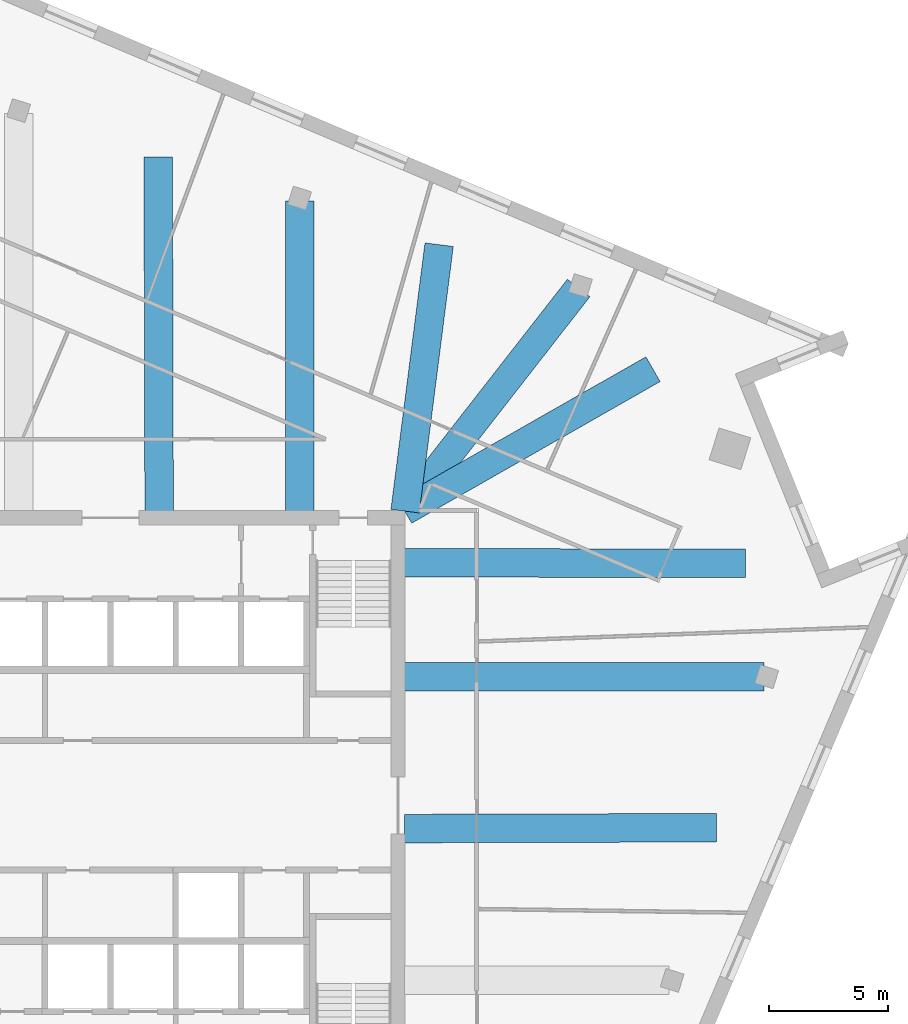
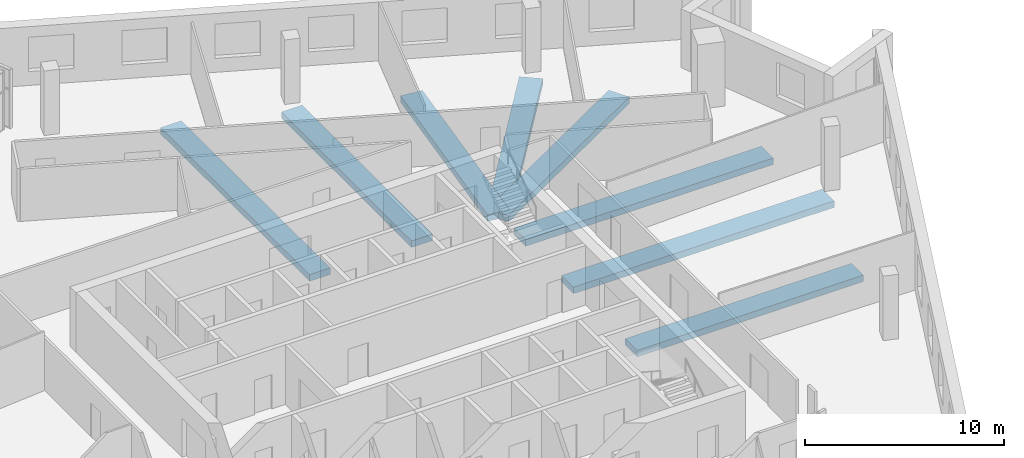
# One storey, part 3 of 13: 8 beams.
"""IFC4 building model written with IfcOpenShell, lengths in metres."""

from ifc_helpers import new_model, si_unit, direction, frame, origin, origin_2d, place, context, subcontext, project, spatial, rectangle, extrude, material, material_profile, profile_set, type_object, element, save


model = new_model("IFC4")

# Units and contexts
model_context = context("Model", 3, precision=1e-05, world=origin(), true_north=direction((0.0, 1.0)))
body_context = subcontext(model_context, "Body", "Model", "MODEL_VIEW")
ifc_project = project(units=[si_unit("LENGTHUNIT", "METRE"), si_unit("AREAUNIT", "SQUARE_METRE"), si_unit("VOLUMEUNIT", "CUBIC_METRE"), si_unit("PLANEANGLEUNIT", "RADIAN"), si_unit("MASSUNIT", "GRAM", prefix="KILO")], contexts=[model_context])

# Site, building, storey
site_placement = place(None, origin())
site = spatial("IfcSite", under=ifc_project, at=site_placement, CompositionType="ELEMENT")
building_placement = place(site_placement, origin())
building = spatial("IfcBuilding", under=site, at=building_placement, Name="Dilmun Exchange Tower", CompositionType="ELEMENT")
storey_placement = place(building_placement, frame((0.0, 0.0, 296.5)))
storey = spatial("IfcBuildingStorey", under=building, at=storey_placement, Name="L70", CompositionType="ELEMENT", Elevation=296.5)

# Beams
ifc_material = material(Name="Concrete C40/50", Category="concrete")
ifc_material_profile = material_profile(ifc_material, rectangle(XDim=1.199951171875, YDim=0.39990234375, at=origin_2d()), Name="1200 x 400")
ifc_profile_set = profile_set([ifc_material_profile], Name="Concrete C40/50")
beam_type = type_object("IfcBeamType", Name="RC band beam 1200 x 400 C40/50", PredefinedType="BEAM", material=ifc_profile_set)
beam_1_placement = place(storey_placement, frame((27.4833984375, 5.406005859375, -0.64990234375), z_axis=(-1.0, 0.0, 0.0), x_axis=(0.0, -1.0, 0.0)))
element("IfcBeam", 1, at=beam_1_placement, inside=storey, type_object=beam_type, Name="Band beam 9", PredefinedType="BEAM", context=body_context, shape_type="SweptSolid", body=[
    extrude(rectangle(XDim=1.199951171875, YDim=0.39990234375, at=origin_2d()), origin(), (0.0, 0.0, 1.0), 15.1103515625),
])
beam_2_placement = place(storey_placement, frame((19.696533203125, 21.7587890625, -0.64990234375), z_axis=(-0.614861030741, -0.788635475283, 0.0), x_axis=(0.788635475283, -0.614861030741, 0.0)))
element("IfcBeam", 2, at=beam_2_placement, inside=storey, type_object=beam_type, Name="Band beam 10", PredefinedType="BEAM", context=body_context, shape_type="SweptSolid", body=[
    extrude(rectangle(XDim=1.199951171875, YDim=0.39990234375, at=origin_2d()), origin(), (0.0, 0.0, 1.0), 11.89404296875),
])
beam_3_placement = place(storey_placement, frame((7.9580078125, 25.41455078125, -0.64990234375), z_axis=(0.0, -1.0, 0.0), x_axis=(1.0, 0.0, 0.0)))
element("IfcBeam", 3, at=beam_3_placement, inside=storey, type_object=beam_type, Name="Band beam 11", PredefinedType="BEAM", context=body_context, shape_type="SweptSolid", body=[
    extrude(rectangle(XDim=1.199951171875, YDim=0.39990234375, at=origin_2d()), origin(), (0.0, 0.0, 1.0), 13.04150390625),
])
beam_4_placement = place(storey_placement, frame((25.49951171875, -0.94140625, -0.64990234375), z_axis=(-0.999996003874, -0.002827054134, 0.0), x_axis=(0.002827054134, -0.999996003874, 0.0)))
element("IfcBeam", 4, at=beam_4_placement, inside=storey, type_object=beam_type, Name="Band beam 23", PredefinedType="BEAM", context=body_context, shape_type="SweptSolid", body=[
    extrude(rectangle(XDim=1.199951171875, YDim=0.39990234375, at=origin_2d()), origin(), (0.0, 0.0, 1.0), 13.12646484375),
])
beam_5_placement = place(storey_placement, frame((26.711181640625, 10.1806640625, -0.64990234375), z_axis=(-0.999999048882, 0.001379215089, 0.0), x_axis=(-0.001379215089, -0.999999048882, 0.0)))
element("IfcBeam", 5, at=beam_5_placement, inside=storey, type_object=beam_type, Name="Band beam 24", PredefinedType="BEAM", context=body_context, shape_type="SweptSolid", body=[
    extrude(rectangle(XDim=1.199951171875, YDim=0.39990234375, at=origin_2d()), origin(), (0.0, 0.0, 1.0), 14.338134765625),
])
beam_6_placement = place(storey_placement, frame((22.82470703125, 18.341796875, -0.64990234375), z_axis=(-0.868787314091, -0.49518542272, 0.0), x_axis=(0.49518542272, -0.868787314091, 0.0)))
element("IfcBeam", 6, at=beam_6_placement, inside=storey, type_object=beam_type, Name="Band beam 25", PredefinedType="BEAM", context=body_context, shape_type="SweptSolid", body=[
    extrude(rectangle(XDim=1.199951171875, YDim=0.39990234375, at=origin_2d()), origin(), (0.0, 0.0, 1.0), 12.02587890625),
])
beam_7_placement = place(storey_placement, frame((13.82861328125, 23.5791015625, -0.64990234375), z_axis=(-0.126771236768, -0.991931980293, 0.0), x_axis=(0.991931980293, -0.126771236768, 0.0)))
element("IfcBeam", 7, at=beam_7_placement, inside=storey, type_object=beam_type, Name="Band beam 26", PredefinedType="BEAM", context=body_context, shape_type="SweptSolid", body=[
    extrude(rectangle(XDim=1.199951171875, YDim=0.39990234375, at=origin_2d()), origin(), (0.0, 0.0, 1.0), 11.296875),
])
beam_8_placement = place(storey_placement, frame((2.013916015625, 27.260498046875, -0.64990234375), z_axis=(0.002492653664, -0.999996893334, 0.0), x_axis=(0.999996893334, 0.002492653664, 0.0)))
element("IfcBeam", 8, at=beam_8_placement, inside=storey, type_object=beam_type, Name="Band beam 27", PredefinedType="BEAM", context=body_context, shape_type="SweptSolid", body=[
    extrude(rectangle(XDim=1.199951171875, YDim=0.39990234375, at=origin_2d()), origin(), (0.0, 0.0, 1.0), 14.887451171875),
])

save(model, "model.ifc")
